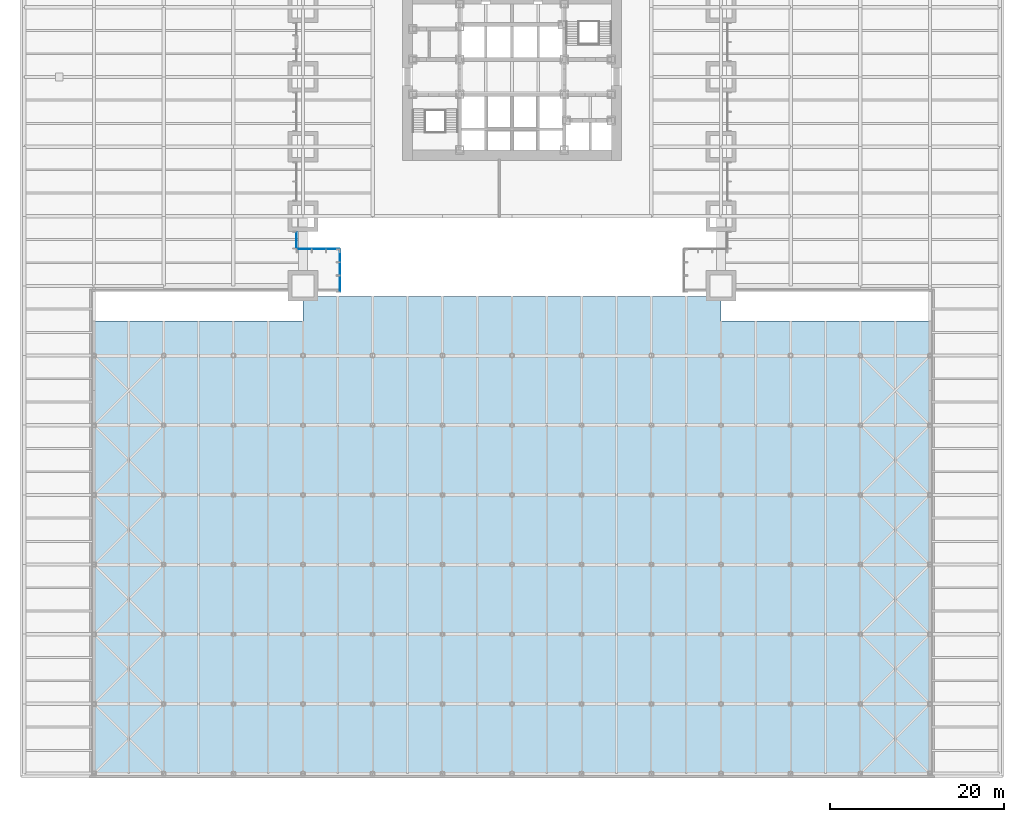
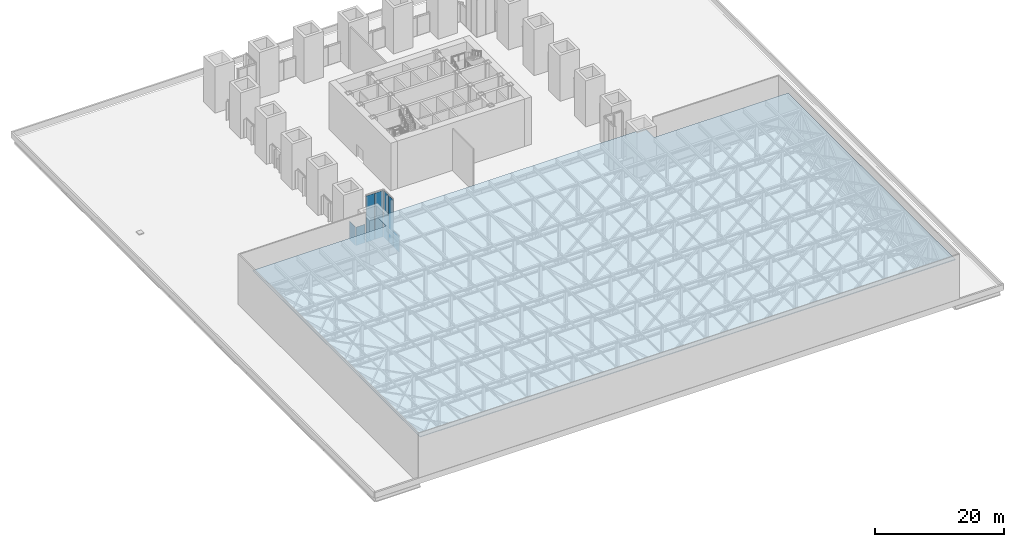
# One storey, part 12 of 20: 7 plates, 1 slab, 5 elements without a shape of their own.
"""IFC4 building model written with IfcOpenShell, lengths in metres."""

from ifc_helpers import new_model, si_unit, direction, frame, origin, origin_2d, place, context, subcontext, project, spatial, polyline, rectangle, outline, extrude, material, layer, layer_set, type_object, element, aggregate, save


model = new_model("IFC4")

# Units and contexts
model_context = context("Model", 3, precision=1e-05, world=origin(), true_north=direction((0.0, 1.0)))
body_context = subcontext(model_context, "Body", "Model", "MODEL_VIEW")
ifc_project = project(units=[si_unit("LENGTHUNIT", "METRE"), si_unit("AREAUNIT", "SQUARE_METRE"), si_unit("VOLUMEUNIT", "CUBIC_METRE"), si_unit("PLANEANGLEUNIT", "RADIAN"), si_unit("MASSUNIT", "GRAM", prefix="KILO")], contexts=[model_context])

# Site, building, storey
site_placement = place(None, origin())
site = spatial("IfcSite", under=ifc_project, at=site_placement, CompositionType="ELEMENT")
building_placement = place(site_placement, origin())
building = spatial("IfcBuilding", under=site, at=building_placement, Name="Daluyong Arena Tower", CompositionType="ELEMENT")
storey_placement = place(building_placement, frame((0.0, 0.0, 25.89990234375)))
storey = spatial("IfcBuildingStorey", under=building, at=storey_placement, Name="L05", CompositionType="ELEMENT", Elevation=25.89990234375)

# Slab
ifc_material_1 = material(Name="Concrete fc' 35 MPa", Category="concrete")
ifc_layer_1 = layer(ifc_material_1, 0.14990234375)
ifc_layer_set_1 = layer_set([ifc_layer_1], Name="Concrete fc' 35 MPa")
slab_type = type_object("IfcSlabType", Name="Arena roof deck 150", PredefinedType="ROOF", material=ifc_layer_set_1)
slab_placement = place(storey_placement, frame((0.0, 0.0, 8.3408203125)))
element("IfcSlab", 1, at=slab_placement, inside=storey, type_object=slab_type, Name="arena roof", PredefinedType="ROOF", context=body_context, shape_type="SweptSolid", body=[
    extrude(outline(polyline([(104.0, 52.0), (80.0, 52.0), (80.0, 54.800048828125), (32.0, 54.800048828125), (32.0, 52.0), (8.0, 52.0), (8.0, 0.0), (104.0, 0.0), (104.0, 52.0)])), origin(), (0.0, 0.0, 1.0), 0.14990234375),
])

# Curtain wall, plate
ifc_material_2 = material(Name="Bronze anodised aluminium and glass", Category="aluminium")
curtain_wall_type = type_object("IfcCurtainWallType", Name="Curtain wall CW6", PredefinedType="USERDEFINED", material=ifc_material_2)
curtain_wall_1_placement = place(storey_placement, origin())
curtain_wall_1 = element("IfcCurtainWall", 2, at=curtain_wall_1_placement, inside=storey, type_object=curtain_wall_type, Name="curtain wall L05 W bay 6", ObjectType="UNITISED CURTAIN WALL", PredefinedType="USERDEFINED")
ifc_material_3 = material(Name="Bronze aluminium louvre panel", Category="aluminium")
ifc_layer_2 = layer(ifc_material_3, 0.050048828125)
ifc_layer_set_2 = layer_set([ifc_layer_2], Name="Bronze aluminium louvre panel")
plate_type = type_object("IfcPlateType", Name="CW6 panel 50", PredefinedType="CURTAIN_PANEL", material=ifc_layer_set_2)
plate_1_placement = place(storey_placement, frame((31.25, 61.25, 0.0), z_axis=(0.0, 0.0, 1.0), x_axis=(0.0, -1.0, 0.0)))
plate_1 = element("IfcPlate", 3, at=plate_1_placement, type_object=plate_type, Name="curtain wall L05 W bay 6 panel 1", PredefinedType="CURTAIN_PANEL", context=body_context, shape_type="SweptSolid", body=[
    extrude(rectangle(XDim=1.840087890625, YDim=0.050048828125, at=origin_2d()), origin(), (0.0, 0.0, 1.0), 3.5),
])
aggregate(curtain_wall_1, [plate_1])

curtain_wall_2_placement = place(storey_placement, origin())
curtain_wall_2 = element("IfcCurtainWall", 4, at=curtain_wall_2_placement, inside=storey, type_object=curtain_wall_type, Name="curtain wall L05 SW-S bay 1", ObjectType="UNITISED CURTAIN WALL", PredefinedType="USERDEFINED")
plate_2_placement = place(storey_placement, frame((32.125, 60.25, 0.0), z_axis=(0.0, 0.0, 1.0), x_axis=(1.0, 0.0, 0.0)))
plate_2 = element("IfcPlate", 5, at=plate_2_placement, type_object=plate_type, Name="curtain wall L05 SW-S bay 1 panel 1", PredefinedType="CURTAIN_PANEL", context=body_context, shape_type="SweptSolid", body=[
    extrude(rectangle(XDim=1.590087890625, YDim=0.050048828125, at=origin_2d()), origin(), (0.0, 0.0, 1.0), 3.5),
])
aggregate(curtain_wall_2, [plate_2])

# Curtain wall, plates
curtain_wall_3_placement = place(storey_placement, origin())
curtain_wall_3 = element("IfcCurtainWall", 6, at=curtain_wall_3_placement, inside=storey, type_object=curtain_wall_type, Name="curtain wall L05 SW-S bay 2", ObjectType="UNITISED CURTAIN WALL", PredefinedType="USERDEFINED")
plate_3_placement = place(storey_placement, frame((33.83251953125, 60.25, 0.0), z_axis=(0.0, 0.0, 1.0), x_axis=(1.0, 0.0, 0.0)))
plate_3 = element("IfcPlate", 7, at=plate_3_placement, type_object=plate_type, Name="curtain wall L05 SW-S bay 2 panel 1", PredefinedType="CURTAIN_PANEL", context=body_context, shape_type="SweptSolid", body=[
    extrude(rectangle(XDim=1.5048828125, YDim=0.050048828125, at=origin_2d()), origin(), (0.0, 0.0, 1.0), 8.800048828125),
])
plate_4_placement = place(storey_placement, frame((35.41748046875, 60.25, 0.0), z_axis=(0.0, 0.0, 1.0), x_axis=(1.0, 0.0, 0.0)))
plate_4 = element("IfcPlate", 8, at=plate_4_placement, type_object=plate_type, Name="curtain wall L05 SW-S bay 2 panel 2", PredefinedType="CURTAIN_PANEL", context=body_context, shape_type="SweptSolid", body=[
    extrude(rectangle(XDim=1.5048828125, YDim=0.050048828125, at=origin_2d()), origin(), (0.0, 0.0, 1.0), 8.800048828125),
])
aggregate(curtain_wall_3, [plate_3, plate_4])

curtain_wall_4_placement = place(storey_placement, origin())
curtain_wall_4 = element("IfcCurtainWall", 9, at=curtain_wall_4_placement, inside=storey, type_object=curtain_wall_type, Name="curtain wall L05 SW-W bay 1", ObjectType="UNITISED CURTAIN WALL", PredefinedType="USERDEFINED")
plate_5_placement = place(storey_placement, frame((36.25, 59.467529296875, 0.0), z_axis=(0.0, 0.0, 1.0), x_axis=(0.0, -1.0, 0.0)))
plate_5 = element("IfcPlate", 10, at=plate_5_placement, type_object=plate_type, Name="curtain wall L05 SW-W bay 1 panel 1", PredefinedType="CURTAIN_PANEL", context=body_context, shape_type="SweptSolid", body=[
    extrude(rectangle(XDim=1.405029296875, YDim=0.050048828125, at=origin_2d()), origin(), (0.0, 0.0, 1.0), 8.800048828125),
])
plate_6_placement = place(storey_placement, frame((36.25, 57.982421875, 0.0), z_axis=(0.0, 0.0, 1.0), x_axis=(0.0, -1.0, 0.0)))
plate_6 = element("IfcPlate", 11, at=plate_6_placement, type_object=plate_type, Name="curtain wall L05 SW-W bay 1 panel 2", PredefinedType="CURTAIN_PANEL", context=body_context, shape_type="SweptSolid", body=[
    extrude(rectangle(XDim=1.405029296875, YDim=0.050048828125, at=origin_2d()), origin(), (0.0, 0.0, 1.0), 8.800048828125),
])
aggregate(curtain_wall_4, [plate_5, plate_6])

# Curtain wall, plate
curtain_wall_5_placement = place(storey_placement, origin())
curtain_wall_5 = element("IfcCurtainWall", 12, at=curtain_wall_5_placement, inside=storey, type_object=curtain_wall_type, Name="curtain wall L05 SW-W bay 2", ObjectType="UNITISED CURTAIN WALL", PredefinedType="USERDEFINED")
plate_7_placement = place(storey_placement, frame((36.25, 56.22509765625, 0.0), z_axis=(0.0, 0.0, 1.0), x_axis=(0.0, -1.0, 0.0)))
plate_7 = element("IfcPlate", 13, at=plate_7_placement, type_object=plate_type, Name="curtain wall L05 SW-W bay 2 panel 1", PredefinedType="CURTAIN_PANEL", context=body_context, shape_type="SweptSolid", body=[
    extrude(rectangle(XDim=1.7900390625, YDim=0.050048828125, at=origin_2d()), origin(), (0.0, 0.0, 1.0), 3.0),
])
aggregate(curtain_wall_5, [plate_7])

save(model, "model.ifc")
